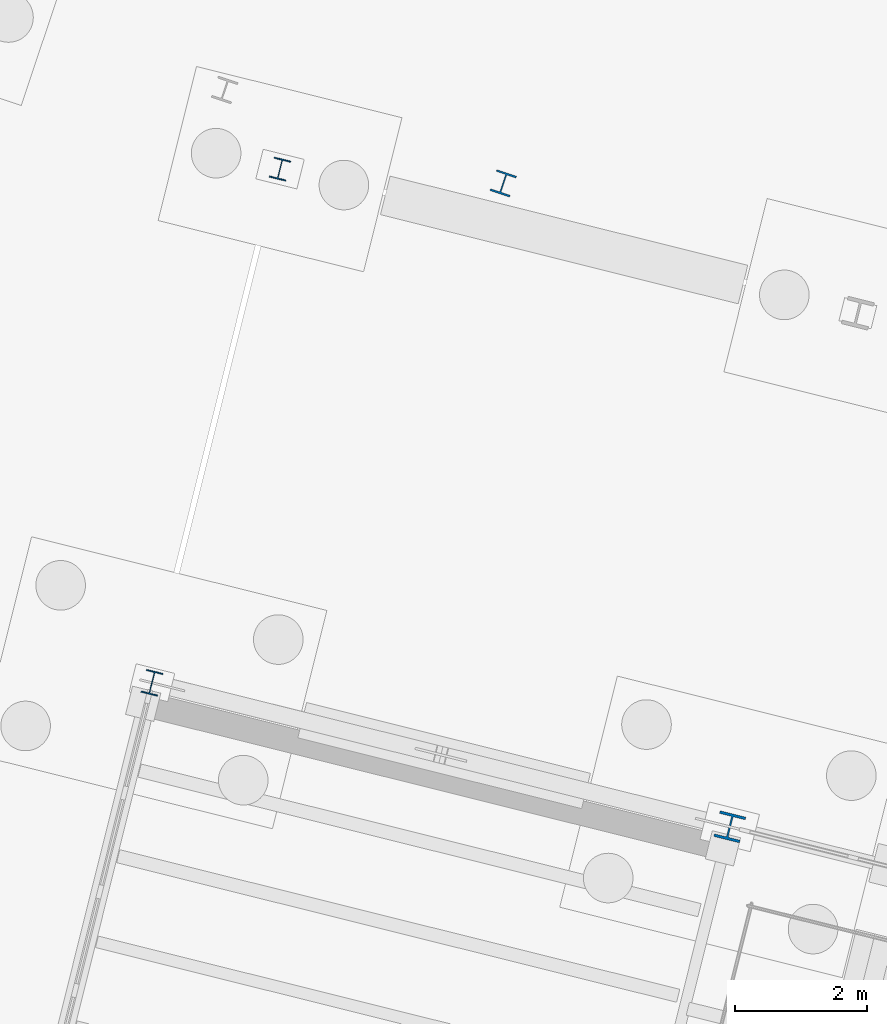
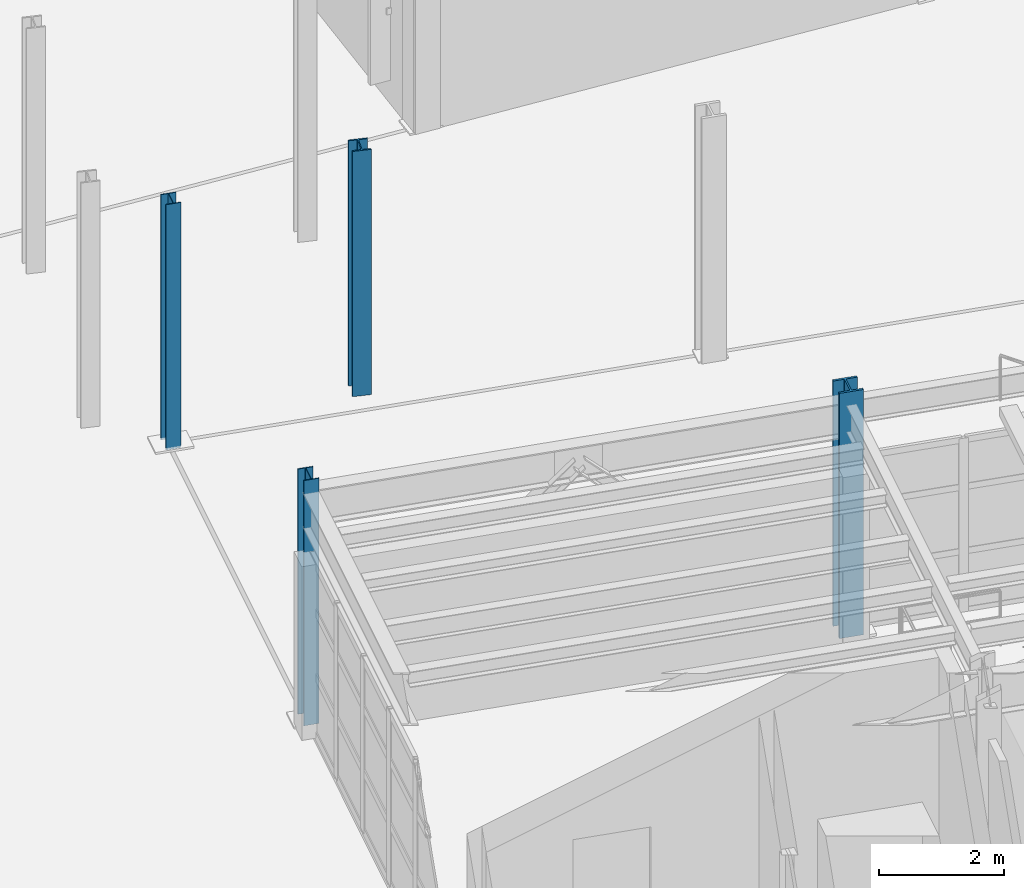
# One storey, part 14 of 108: 4 columns.
"""IFC4 building model written with IfcOpenShell, lengths in metres."""

from ifc_helpers import new_model, si_unit, direction, frame, origin, origin_2d, place, context, subcontext, project, spatial, i_section, extrude, material, material_profile, profile_set, type_object, element, save


model = new_model("IFC4")

# Units and contexts
model_context = context("Model", 3, precision=1e-05, world=origin(), true_north=direction((0.0, 1.0)))
body_context = subcontext(model_context, "Body", "Model", "MODEL_VIEW")
ifc_project = project(units=[si_unit("LENGTHUNIT", "METRE"), si_unit("AREAUNIT", "SQUARE_METRE"), si_unit("VOLUMEUNIT", "CUBIC_METRE"), si_unit("PLANEANGLEUNIT", "RADIAN"), si_unit("MASSUNIT", "GRAM", prefix="KILO")], contexts=[model_context])

# Site, building, storey
site_placement = place(None, origin())
site = spatial("IfcSite", under=ifc_project, at=site_placement, CompositionType="ELEMENT")
building_placement = place(site_placement, origin())
building = spatial("IfcBuilding", under=site, at=building_placement, Name="Vireo Bluff Cable Station", CompositionType="ELEMENT")
storey_placement = place(building_placement, origin())
storey = spatial("IfcBuildingStorey", under=building, at=storey_placement, Name="L00", CompositionType="ELEMENT", Elevation=0.0)

# Columns
ifc_material = material(Name="Steel ASTM A992 Gr. 50", Category="steel")
ifc_material_profile_1 = material_profile(ifc_material, i_section(OverallWidth=0.31298828125, OverallDepth=0.3330078125, WebThickness=0.01806640625, FlangeThickness=0.028076171875, FilletRadius=0.012939453125, at=origin_2d()), Name="W12X120")
ifc_profile_set_1 = profile_set([ifc_material_profile_1], Name="Steel ASTM A992 Gr. 50")
column_type_1 = type_object("IfcColumnType", Name="ECOL-W12X120", PredefinedType="COLUMN", material=ifc_profile_set_1)
column_1_placement = place(storey_placement, frame((63.179931640625, 61.0712890625, 0.0), z_axis=(0.0, 0.0, 1.0), x_axis=(0.948104710889, -0.317958263284, 0.0)))
element("IfcColumn", 1, at=column_1_placement, inside=storey, type_object=column_type_1, Name="CABIN-TRANSFER skybridge column 4L L00", PredefinedType="COLUMN", context=body_context, shape_type="SweptSolid", body=[
    extrude(i_section(OverallWidth=0.31298828125, OverallDepth=0.3330078125, WebThickness=0.01806640625, FlangeThickness=0.028076171875, FilletRadius=0.012939453125, at=origin_2d()), origin(), (0.0, 0.0, 1.0), 4.800048828125),
])
ifc_material_profile_2 = material_profile(ifc_material, i_section(OverallWidth=0.40087890625, OverallDepth=0.39892578125, WebThickness=0.02490234375, FlangeThickness=0.03955078125, FilletRadius=0.014892578125, at=origin_2d()), Name="W14X211")
ifc_profile_set_2 = profile_set([ifc_material_profile_2], Name="Steel ASTM A992 Gr. 50")
column_type_2 = type_object("IfcColumnType", Name="ECOL-W14X211", PredefinedType="COLUMN", material=ifc_profile_set_2)
column_2_placement = place(storey_placement, frame((66.603515625, 51.347412109375, 0.0), z_axis=(0.0, 0.0, 1.0), x_axis=(0.970295726276, -0.2419218956, 0.0)))
element("IfcColumn", 2, at=column_2_placement, inside=storey, type_object=column_type_2, Name="V1 L00 column 31", PredefinedType="COLUMN", context=body_context, shape_type="SweptSolid", body=[
    extrude(i_section(OverallWidth=0.40087890625, OverallDepth=0.39892578125, WebThickness=0.02490234375, FlangeThickness=0.03955078125, FilletRadius=0.014892578125, at=origin_2d()), origin(), (0.0, 0.0, 1.0), 4.800048828125),
])
ifc_material_profile_3 = material_profile(ifc_material, i_section(OverallWidth=0.25390625, OverallDepth=0.31005859375, WebThickness=0.009033203125, FlangeThickness=0.016357421875, FilletRadius=0.010986328125, at=origin_2d()), Name="W12X58")
ifc_profile_set_3 = profile_set([ifc_material_profile_3], Name="Steel ASTM A992 Gr. 50")
column_type_3 = type_object("IfcColumnType", Name="PIL-W12X58", PredefinedType="PILASTER", material=ifc_profile_set_3)
column_3_placement = place(storey_placement, frame((59.80615234375, 61.287109375, 0.0), z_axis=(0.0, 0.0, 1.0), x_axis=(0.970295726276, -0.2419218956, 0.0)))
element("IfcColumn", 3, at=column_3_placement, inside=storey, type_object=column_type_3, Name="V1 L00 column 16", PredefinedType="PILASTER", context=body_context, shape_type="SweptSolid", body=[
    extrude(i_section(OverallWidth=0.25390625, OverallDepth=0.31005859375, WebThickness=0.009033203125, FlangeThickness=0.016357421875, FilletRadius=0.010986328125, at=origin_2d()), origin(), (0.0, 0.0, 1.0), 4.800048828125),
])
ifc_material_profile_4 = material_profile(ifc_material, i_section(OverallWidth=0.25390625, OverallDepth=0.35302734375, WebThickness=0.009521484375, FlangeThickness=0.016357421875, FilletRadius=0.011962890625, at=origin_2d()), Name="W14X61")
ifc_profile_set_4 = profile_set([ifc_material_profile_4], Name="Steel ASTM A992 Gr. 50")
column_type_4 = type_object("IfcColumnType", Name="PIL-W14X61", PredefinedType="PILASTER", material=ifc_profile_set_4)
column_4_placement = place(storey_placement, frame((57.870849609375, 53.524658203125, 0.0), z_axis=(0.0, 0.0, 1.0), x_axis=(0.970295726276, -0.2419218956, 0.0)))
element("IfcColumn", 4, at=column_4_placement, inside=storey, type_object=column_type_4, Name="V1 L00 column 11", PredefinedType="PILASTER", context=body_context, shape_type="SweptSolid", body=[
    extrude(i_section(OverallWidth=0.25390625, OverallDepth=0.35302734375, WebThickness=0.009521484375, FlangeThickness=0.016357421875, FilletRadius=0.011962890625, at=origin_2d()), origin(), (0.0, 0.0, 1.0), 4.800048828125),
])

save(model, "model.ifc")
